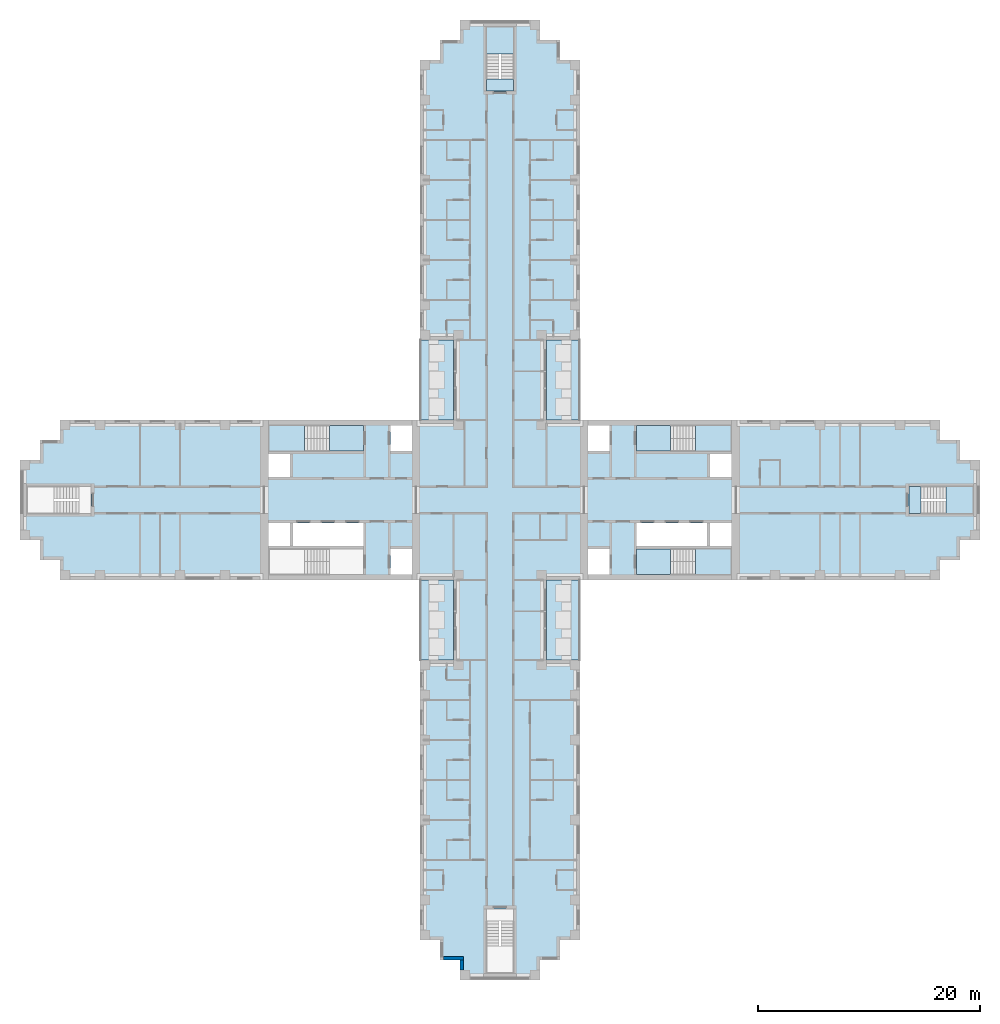
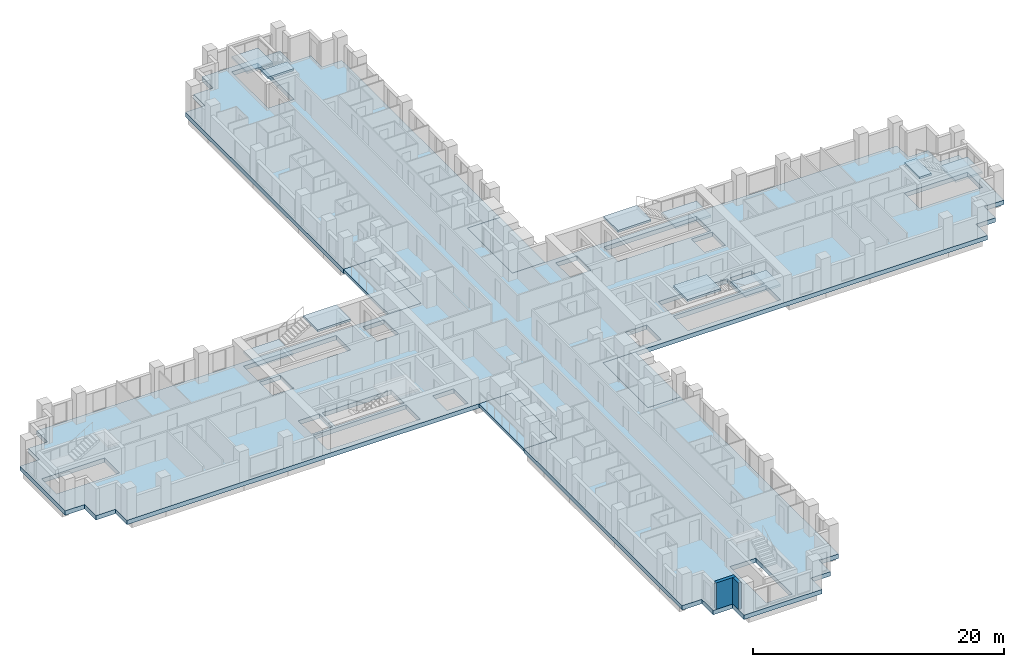
# One storey, part 2 of 15: 15 slabs, 2 walls, 5 elements without a shape of their own.
"""IFC4 building model written with IfcOpenShell, lengths in metres."""

from ifc_helpers import new_model, si_unit, direction, frame, frame_2d, origin, place, context, subcontext, project, spatial, polyline, rectangle, outline, extrude, material, layer, layer_set, type_object, element, aggregate, save


model = new_model("IFC4")

# Units and contexts
model_context = context("Model", 3, precision=1e-05, world=origin(), true_north=direction((0.0, 1.0)))
body_context = subcontext(model_context, "Body", "Model", "MODEL_VIEW")
ifc_project = project(units=[si_unit("LENGTHUNIT", "METRE"), si_unit("AREAUNIT", "SQUARE_METRE"), si_unit("VOLUMEUNIT", "CUBIC_METRE"), si_unit("PLANEANGLEUNIT", "RADIAN"), si_unit("MASSUNIT", "GRAM", prefix="KILO")], contexts=[model_context])

# Site, building, storey
site_placement = place(None, origin())
site = spatial("IfcSite", under=ifc_project, at=site_placement, CompositionType="ELEMENT")
building_placement = place(site_placement, origin())
building = spatial("IfcBuilding", under=site, at=building_placement, Name="Fustian Cross Tower", CompositionType="ELEMENT")
storey_placement = place(building_placement, frame((0.0, 0.0, 14.699951171875)))
storey = spatial("IfcBuildingStorey", under=building, at=storey_placement, Name="L03", CompositionType="ELEMENT", Elevation=14.699951171875)

# Slabs
ifc_material_1 = material(Name="Concrete C40/50", Category="concrete")
ifc_layer_1 = layer(ifc_material_1, 0.300048828125)
ifc_layer_set_1 = layer_set([ifc_layer_1], Name="Concrete C40/50")
slab_type_1 = type_object("IfcSlabType", Name="BS1 BALCONY SLAB 300", PredefinedType="FLOOR", material=ifc_layer_set_1)
slab_1_placement = place(storey_placement, frame((0.0, 0.0, -0.300048828125)))
element("IfcSlab", 1, at=slab_1_placement, inside=storey, type_object=slab_type_1, Name="Balcony slab", PredefinedType="FLOOR", context=body_context, shape_type="SweptSolid", body=[
    extrude(outline(polyline([(4.199951171875, 7.199951171875), (7.199951171875, 7.199951171875), (7.199951171875, 14.39990234375), (4.199951171875, 14.39990234375), (4.199951171875, 7.199951171875)])), origin(), (0.0, 0.0, 1.0), 0.300048828125),
])
slab_2_placement = place(storey_placement, frame((0.0, 0.0, -0.300048828125)))
element("IfcSlab", 2, at=slab_2_placement, inside=storey, type_object=slab_type_1, Name="Balcony slab", PredefinedType="FLOOR", context=body_context, shape_type="SweptSolid", body=[
    extrude(outline(polyline([(-7.199951171875, 7.199951171875), (-4.199951171875, 7.199951171875), (-4.199951171875, 14.39990234375), (-7.199951171875, 14.39990234375), (-7.199951171875, 7.199951171875)])), origin(), (0.0, 0.0, 1.0), 0.300048828125),
])
slab_3_placement = place(storey_placement, frame((0.0, 0.0, -0.300048828125)))
element("IfcSlab", 3, at=slab_3_placement, inside=storey, type_object=slab_type_1, Name="Balcony slab", PredefinedType="FLOOR", context=body_context, shape_type="SweptSolid", body=[
    extrude(outline(polyline([(4.199951171875, -14.39990234375), (7.199951171875, -14.39990234375), (7.199951171875, -7.199951171875), (4.199951171875, -7.199951171875), (4.199951171875, -14.39990234375)])), origin(), (0.0, 0.0, 1.0), 0.300048828125),
])
slab_4_placement = place(storey_placement, frame((0.0, 0.0, -0.300048828125)))
element("IfcSlab", 4, at=slab_4_placement, inside=storey, type_object=slab_type_1, Name="Balcony slab", PredefinedType="FLOOR", context=body_context, shape_type="SweptSolid", body=[
    extrude(outline(polyline([(-7.199951171875, -14.39990234375), (-4.199951171875, -14.39990234375), (-4.199951171875, -7.199951171875), (-7.199951171875, -7.199951171875), (-7.199951171875, -14.39990234375)])), origin(), (0.0, 0.0, 1.0), 0.300048828125),
])
ifc_material_2 = material(Name="Concrete C40/50", Category="concrete")
ifc_layer_2 = layer(ifc_material_2, 0.425048828125)
ifc_layer_set_2 = layer_set([ifc_layer_2], Name="Concrete C40/50")
slab_type_2 = type_object("IfcSlabType", Name="FLAT SLAB 425", PredefinedType="FLOOR", material=ifc_layer_set_2)
slab_5_placement = place(storey_placement, frame((0.0, 0.0, -0.425048828125)))
element("IfcSlab", 5, at=slab_5_placement, inside=storey, type_object=slab_type_2, Name="FLOOR SLAB L03-1", PredefinedType="FLOOR", context=body_context, shape_type="SweptSolid", body=[
    extrude(outline(polyline([(-4.199951171875, -7.199951171875), (-39.60009765625, -7.199951171875), (-39.60009765625, -5.39990234375), (-41.39990234375, -5.39990234375), (-41.39990234375, -3.60009765625), (-43.199951171875, -3.60009765625), (-43.199951171875, 3.60009765625), (-41.39990234375, 3.60009765625), (-41.39990234375, 5.39990234375), (-39.60009765625, 5.39990234375), (-39.60009765625, 7.199951171875), (-4.199951171875, 7.199951171875), (-4.199951171875, 14.39990234375), (-7.199951171875, 14.39990234375), (-7.199951171875, 39.60009765625), (-5.39990234375, 39.60009765625), (-5.39990234375, 41.39990234375), (-3.60009765625, 41.39990234375), (-3.60009765625, 43.199951171875), (3.60009765625, 43.199951171875), (3.60009765625, 41.39990234375), (5.39990234375, 41.39990234375), (5.39990234375, 39.60009765625), (7.199951171875, 39.60009765625), (7.199951171875, 14.39990234375), (4.199951171875, 14.39990234375), (4.199951171875, 7.199951171875), (39.60009765625, 7.199951171875), (39.60009765625, 5.39990234375), (41.39990234375, 5.39990234375), (41.39990234375, 3.60009765625), (43.199951171875, 3.60009765625), (43.199951171875, -3.60009765625), (41.39990234375, -3.60009765625), (41.39990234375, -5.39990234375), (39.60009765625, -5.39990234375), (39.60009765625, -7.199951171875), (4.199951171875, -7.199951171875), (4.199951171875, -14.39990234375), (7.199951171875, -14.39990234375), (7.199951171875, -39.60009765625), (5.39990234375, -39.60009765625), (5.39990234375, -41.39990234375), (3.60009765625, -41.39990234375), (3.60009765625, -43.199951171875), (-3.60009765625, -43.199951171875), (-3.60009765625, -41.39990234375), (-5.39990234375, -41.39990234375), (-5.39990234375, -39.60009765625), (-7.199951171875, -39.60009765625), (-7.199951171875, -14.39990234375), (-4.199951171875, -14.39990234375), (-4.199951171875, -7.199951171875)]), holes=[polyline([(18.89990234375, -2.050048828125), (18.89990234375, -4.14990234375), (20.85009765625, -4.14990234375), (20.85009765625, -2.050048828125), (18.89990234375, -2.050048828125)]), polyline([(20.85009765625, 4.14990234375), (18.89990234375, 4.14990234375), (18.89990234375, 2.050048828125), (20.85009765625, 2.050048828125), (20.85009765625, 4.14990234375)]), polyline([(9.85009765625, 4.39990234375), (9.85009765625, 6.699951171875), (7.89990234375, 6.699951171875), (7.89990234375, 4.39990234375), (9.85009765625, 4.39990234375)]), polyline([(7.89990234375, -6.699951171875), (9.85009765625, -6.699951171875), (9.85009765625, -4.39990234375), (7.89990234375, -4.39990234375), (7.89990234375, -6.699951171875)]), polyline([(-20.85009765625, -2.050048828125), (-20.85009765625, -4.14990234375), (-18.89990234375, -4.14990234375), (-18.89990234375, -2.050048828125), (-20.85009765625, -2.050048828125)]), polyline([(-18.89990234375, 4.14990234375), (-20.85009765625, 4.14990234375), (-20.85009765625, 2.050048828125), (-18.89990234375, 2.050048828125), (-18.89990234375, 4.14990234375)]), polyline([(-7.89990234375, 4.39990234375), (-7.89990234375, 6.699951171875), (-9.85009765625, 6.699951171875), (-9.85009765625, 4.39990234375), (-7.89990234375, 4.39990234375)]), polyline([(-9.85009765625, -6.699951171875), (-7.89990234375, -6.699951171875), (-7.89990234375, -4.39990234375), (-9.85009765625, -4.39990234375), (-9.85009765625, -6.699951171875)]), polyline([(12.300048828125, -2.050048828125), (12.300048828125, -4.14990234375), (18.64990234375, -4.14990234375), (18.64990234375, -2.050048828125), (12.300048828125, -2.050048828125)]), polyline([(-12.300048828125, -2.050048828125), (-18.64990234375, -2.050048828125), (-18.64990234375, -4.14990234375), (-12.300048828125, -4.14990234375), (-12.300048828125, -2.050048828125)]), polyline([(20.85009765625, 4.39990234375), (20.85009765625, 6.699951171875), (12.300048828125, 6.699951171875), (12.300048828125, 4.39990234375), (20.85009765625, 4.39990234375)]), polyline([(12.300048828125, -6.699951171875), (20.85009765625, -6.699951171875), (20.85009765625, -4.39990234375), (12.300048828125, -4.39990234375), (12.300048828125, -6.699951171875)]), polyline([(-20.85009765625, 6.699951171875), (-20.85009765625, 4.39990234375), (-12.300048828125, 4.39990234375), (-12.300048828125, 6.699951171875), (-20.85009765625, 6.699951171875)]), polyline([(-12.300048828125, -4.39990234375), (-20.85009765625, -4.39990234375), (-20.85009765625, -6.699951171875), (-12.300048828125, -6.699951171875), (-12.300048828125, -4.39990234375)]), polyline([(1.199951171875, 36.800048828125), (1.199951171875, 42.60009765625), (-1.199951171875, 42.60009765625), (-1.199951171875, 36.800048828125), (1.199951171875, 36.800048828125)]), polyline([(-1.199951171875, -42.60009765625), (1.199951171875, -42.60009765625), (1.199951171875, -36.800048828125), (-1.199951171875, -36.800048828125), (-1.199951171875, -42.60009765625)]), polyline([(36.800048828125, 1.199951171875), (36.800048828125, -1.199951171875), (42.60009765625, -1.199951171875), (42.60009765625, 1.199951171875), (36.800048828125, 1.199951171875)]), polyline([(-36.800048828125, 1.199951171875), (-42.60009765625, 1.199951171875), (-42.60009765625, -1.199951171875), (-36.800048828125, -1.199951171875), (-36.800048828125, 1.199951171875)])]), origin(), (0.0, 0.0, 1.0), 0.425048828125),
])

# Stair, slabs
ifc_material_3 = material(Name="Concrete C50/60", Category="concrete")
stair_type_1 = type_object("IfcStairType", Name="STAIR 1150 HALF TURN", PredefinedType="HALF_TURN_STAIR", material=ifc_material_3)
stair_1_placement = place(storey_placement, origin())
stair_1 = element("IfcStair", 6, at=stair_1_placement, inside=storey, type_object=stair_type_1, Name="Stair ST1", PredefinedType="HALF_TURN_STAIR")
ifc_material_4 = material(Name="Concrete C50/60", Category="concrete")
ifc_layer_3 = layer(ifc_material_4, 0.199951171875)
ifc_layer_set_3 = layer_set([ifc_layer_3], Name="Concrete C50/60")
slab_type_3 = type_object("IfcSlabType", Name="STAIR LANDING", PredefinedType="LANDING", material=ifc_layer_set_3)
slab_6_placement = place(storey_placement, frame((0.0, 0.0, 1.300048828125)))
slab_6 = element("IfcSlab", 7, at=slab_6_placement, type_object=slab_type_3, Name="ST1 landing 1", PredefinedType="LANDING", context=body_context, shape_type="SweptSolid", body=[
    extrude(outline(polyline([(17.590087890625, 4.39990234375), (20.85009765625, 4.39990234375), (20.85009765625, 6.699951171875), (17.590087890625, 6.699951171875), (17.590087890625, 4.39990234375)])), origin(), (0.0, 0.0, 1.0), 0.199951171875),
])
slab_7_placement = place(storey_placement, frame((0.0, 0.0, 2.800048828125)))
slab_7 = element("IfcSlab", 8, at=slab_7_placement, type_object=slab_type_3, Name="ST1 landing 2", PredefinedType="LANDING", context=body_context, shape_type="SweptSolid", body=[
    extrude(outline(polyline([(12.300048828125, 4.39990234375), (15.35009765625, 4.39990234375), (15.35009765625, 6.699951171875), (12.300048828125, 6.699951171875), (12.300048828125, 4.39990234375)])), origin(), (0.0, 0.0, 1.0), 0.199951171875),
])
aggregate(stair_1, [slab_6, slab_7])

stair_2_placement = place(storey_placement, origin())
stair_2 = element("IfcStair", 9, at=stair_2_placement, inside=storey, type_object=stair_type_1, Name="Stair ST2", PredefinedType="HALF_TURN_STAIR")
slab_8_placement = place(storey_placement, frame((0.0, 0.0, 1.300048828125)))
slab_8 = element("IfcSlab", 10, at=slab_8_placement, type_object=slab_type_3, Name="ST2 landing 1", PredefinedType="LANDING", context=body_context, shape_type="SweptSolid", body=[
    extrude(outline(polyline([(17.590087890625, -4.39990234375), (20.85009765625, -4.39990234375), (20.85009765625, -6.699951171875), (17.590087890625, -6.699951171875), (17.590087890625, -4.39990234375)])), origin(), (0.0, 0.0, 1.0), 0.199951171875),
])
slab_9_placement = place(storey_placement, frame((0.0, 0.0, 2.800048828125)))
slab_9 = element("IfcSlab", 11, at=slab_9_placement, type_object=slab_type_3, Name="ST2 landing 2", PredefinedType="LANDING", context=body_context, shape_type="SweptSolid", body=[
    extrude(outline(polyline([(12.300048828125, -4.39990234375), (15.35009765625, -4.39990234375), (15.35009765625, -6.699951171875), (12.300048828125, -6.699951171875), (12.300048828125, -4.39990234375)])), origin(), (0.0, 0.0, 1.0), 0.199951171875),
])
aggregate(stair_2, [slab_8, slab_9])

stair_3_placement = place(storey_placement, origin())
stair_3 = element("IfcStair", 12, at=stair_3_placement, inside=storey, type_object=stair_type_1, Name="Stair ST3", PredefinedType="HALF_TURN_STAIR")
slab_10_placement = place(storey_placement, frame((0.0, 0.0, 1.300048828125)))
slab_10 = element("IfcSlab", 13, at=slab_10_placement, type_object=slab_type_3, Name="ST3 landing 1", PredefinedType="LANDING", context=body_context, shape_type="SweptSolid", body=[
    extrude(outline(polyline([(-17.590087890625, 4.39990234375), (-20.85009765625, 4.39990234375), (-20.85009765625, 6.699951171875), (-17.590087890625, 6.699951171875), (-17.590087890625, 4.39990234375)])), origin(), (0.0, 0.0, 1.0), 0.199951171875),
])
slab_11_placement = place(storey_placement, frame((0.0, 0.0, 2.800048828125)))
slab_11 = element("IfcSlab", 14, at=slab_11_placement, type_object=slab_type_3, Name="ST3 landing 2", PredefinedType="LANDING", context=body_context, shape_type="SweptSolid", body=[
    extrude(outline(polyline([(-12.300048828125, 4.39990234375), (-15.35009765625, 4.39990234375), (-15.35009765625, 6.699951171875), (-12.300048828125, 6.699951171875), (-12.300048828125, 4.39990234375)])), origin(), (0.0, 0.0, 1.0), 0.199951171875),
])
aggregate(stair_3, [slab_10, slab_11])

ifc_material_5 = material(Name="Concrete C50/60", Category="concrete")
stair_type_2 = type_object("IfcStairType", Name="STAIR 1100 HALF TURN", PredefinedType="HALF_TURN_STAIR", material=ifc_material_5)
stair_4_placement = place(storey_placement, origin())
stair_4 = element("IfcStair", 15, at=stair_4_placement, inside=storey, type_object=stair_type_2, Name="Stair ST5", PredefinedType="HALF_TURN_STAIR")
slab_12_placement = place(storey_placement, frame((0.0, 0.0, 1.300048828125)))
slab_12 = element("IfcSlab", 16, at=slab_12_placement, type_object=slab_type_3, Name="ST5 landing 1", PredefinedType="LANDING", context=body_context, shape_type="SweptSolid", body=[
    extrude(outline(polyline([(-1.199951171875, 40.139892578125), (-1.199951171875, 42.60009765625), (1.199951171875, 42.60009765625), (1.199951171875, 40.139892578125), (-1.199951171875, 40.139892578125)])), origin(), (0.0, 0.0, 1.0), 0.199951171875),
])
slab_13_placement = place(storey_placement, frame((0.0, 0.0, 2.800048828125)))
slab_13 = element("IfcSlab", 17, at=slab_13_placement, type_object=slab_type_3, Name="ST5 landing 2", PredefinedType="LANDING", context=body_context, shape_type="SweptSolid", body=[
    extrude(outline(polyline([(-1.199951171875, 36.800048828125), (-1.199951171875, 37.89990234375), (1.199951171875, 37.89990234375), (1.199951171875, 36.800048828125), (-1.199951171875, 36.800048828125)])), origin(), (0.0, 0.0, 1.0), 0.199951171875),
])
aggregate(stair_4, [slab_12, slab_13])

stair_5_placement = place(storey_placement, origin())
stair_5 = element("IfcStair", 18, at=stair_5_placement, inside=storey, type_object=stair_type_2, Name="Stair ST8", PredefinedType="HALF_TURN_STAIR")
slab_14_placement = place(storey_placement, frame((0.0, 0.0, 1.300048828125)))
slab_14 = element("IfcSlab", 19, at=slab_14_placement, type_object=slab_type_3, Name="ST8 landing 1", PredefinedType="LANDING", context=body_context, shape_type="SweptSolid", body=[
    extrude(outline(polyline([(40.139892578125, -1.199951171875), (42.60009765625, -1.199951171875), (42.60009765625, 1.199951171875), (40.139892578125, 1.199951171875), (40.139892578125, -1.199951171875)])), origin(), (0.0, 0.0, 1.0), 0.199951171875),
])
slab_15_placement = place(storey_placement, frame((0.0, 0.0, 2.800048828125)))
slab_15 = element("IfcSlab", 20, at=slab_15_placement, type_object=slab_type_3, Name="ST8 landing 2", PredefinedType="LANDING", context=body_context, shape_type="SweptSolid", body=[
    extrude(outline(polyline([(36.800048828125, -1.199951171875), (37.89990234375, -1.199951171875), (37.89990234375, 1.199951171875), (36.800048828125, 1.199951171875), (36.800048828125, -1.199951171875)])), origin(), (0.0, 0.0, 1.0), 0.199951171875),
])
aggregate(stair_5, [slab_14, slab_15])

# Walls
ifc_material_6 = material(Name="Dark aluminium cladding on insulated backing wall", Category="aluminium")
ifc_layer_4 = layer(ifc_material_6, 0.300048828125)
ifc_layer_set_4 = layer_set([ifc_layer_4], Name="Dark aluminium cladding on insulated backing wall")
wall_type = type_object("IfcWallType", Name="XW1 EXTERNAL WALL 300", PredefinedType="SOLIDWALL", material=ifc_layer_set_4)
wall_1_placement = place(storey_placement, frame((-5.10009765625, -41.25, 0.0), z_axis=(0.0, 0.0, 1.0), x_axis=(1.0, 0.0, 0.0)))
element("IfcWall", 21, at=wall_1_placement, inside=storey, type_object=wall_type, Name="External wall", PredefinedType="SOLIDWALL", context=body_context, shape_type="SweptSolid", body=[
    extrude(rectangle(XDim=1.800048828125, YDim=0.300048828125, at=frame_2d((0.89990234375, 0.0))), origin(), (0.0, 0.0, 1.0), 2.574951171875),
])
wall_2_placement = place(storey_placement, frame((-3.449951171875, -41.39990234375, 0.0), z_axis=(0.0, 0.0, 1.0), x_axis=(0.0, -1.0, 0.0)))
element("IfcWall", 22, at=wall_2_placement, inside=storey, type_object=wall_type, Name="External wall", PredefinedType="SOLIDWALL", context=body_context, shape_type="SweptSolid", body=[
    extrude(rectangle(XDim=0.900146484375, YDim=0.300048828125, at=frame_2d((0.4501953125, 0.0))), origin(), (0.0, 0.0, 1.0), 2.574951171875),
])

save(model, "model.ifc")
